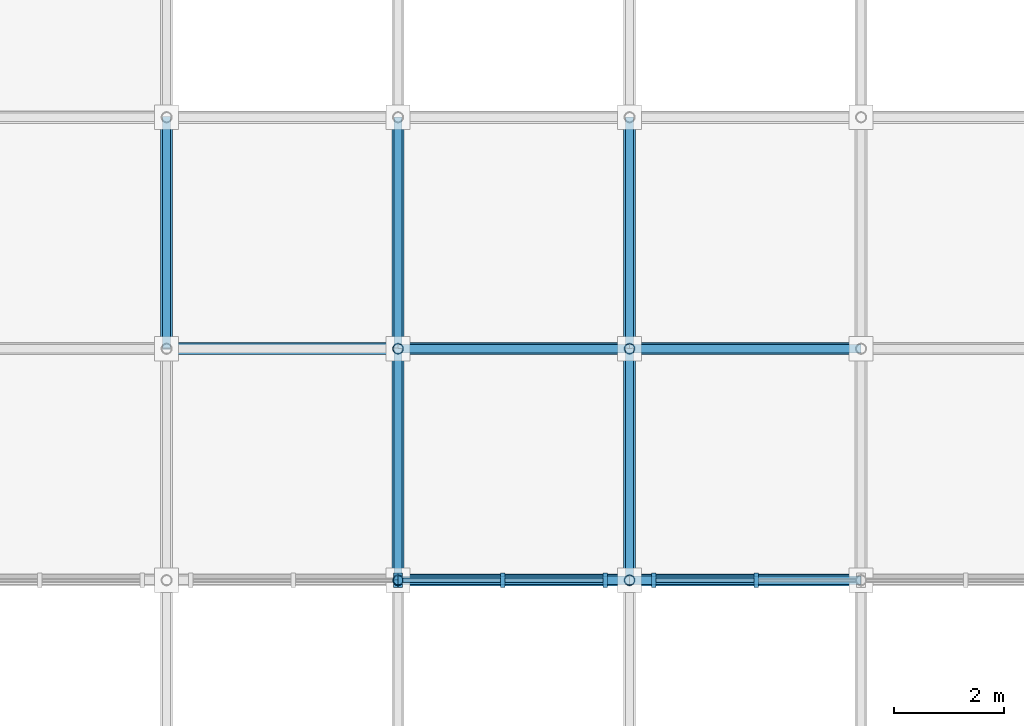
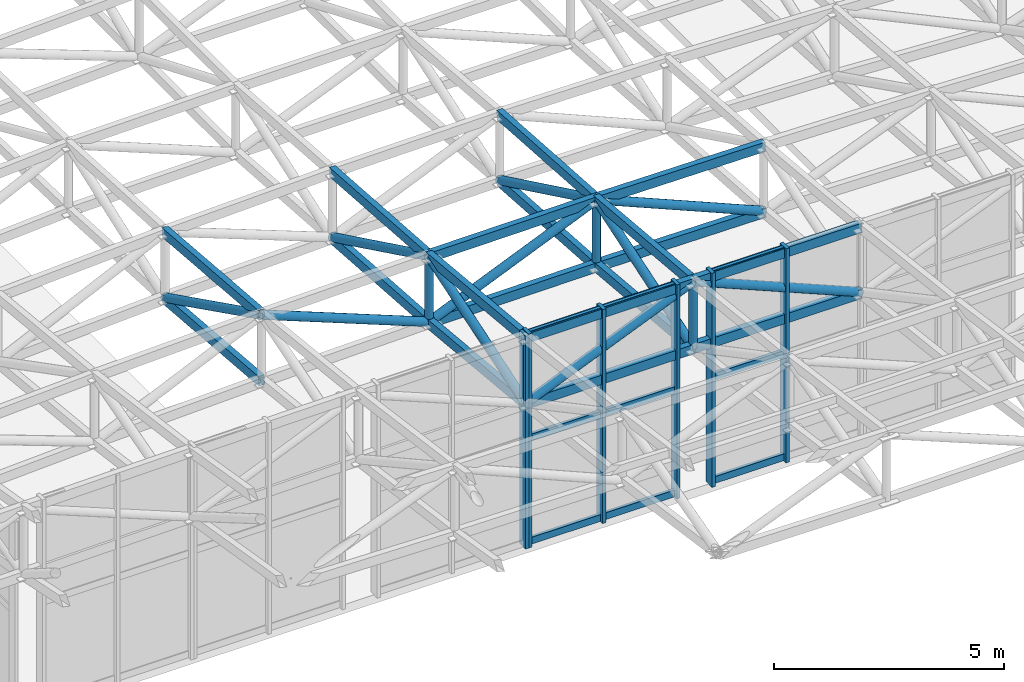
# One storey, part 16 of 132: 47 members, 3 elements without a shape of their own.
"""IFC4 building model written with IfcOpenShell, lengths in metres."""

import ifcopenshell
import ifcopenshell.guid

model = None  # the IFC model being written
_history = None  # IfcOwnerHistory: only IFC2X3 demands one
_inside = {}  # id of a spatial element -> (the spatial element, [elements in it])
_under = {}  # id of a project, library or spatial element -> (it, [spatial elements below it])
_declared = {}  # id of a project -> (the project, [libraries it declares])
_typed = {}  # id of a type object -> (the type object, [elements of that type])
_made_of = {}  # id of a material, layer set ... -> (it, [elements and type objects made of it])


def new_model(schema):
    """Start an empty IFC model of exactly this schema.

    Asked for "IFC4X3", IfcOpenShell would pick the latest addendum, in which some entities
    have other attributes; the version numbers below select the first issue.
    IFC2X3 requires an IfcOwnerHistory on every rooted entity: one is made here for all.
    """
    global model, _history
    if schema == "IFC4X3":
        model = ifcopenshell.file(schema_version=(4, 3, 0, 0))
    else:
        model = ifcopenshell.file(schema=schema)
    _inside.clear()
    _under.clear()
    _declared.clear()
    _typed.clear()
    _made_of.clear()
    _history = None
    if model.schema == "IFC2X3":
        org = make("IfcOrganization", Name="unknown")
        user = make(
            "IfcPersonAndOrganization",
            ThePerson=make("IfcPerson", FamilyName="unknown"),
            TheOrganization=org,
        )
        app = make(
            "IfcApplication",
            ApplicationDeveloper=org,
            Version="unknown",
            ApplicationFullName="unknown",
            ApplicationIdentifier="unknown",
        )
        _history = make(
            "IfcOwnerHistory",
            OwningUser=user,
            OwningApplication=app,
            ChangeAction="ADDED",
            CreationDate=0,
        )
    return model


def make(cls, **values):
    """One entity of the class cls with the attributes given. An attribute that is None is left unset."""
    return model.create_entity(
        cls, **{name: value for name, value in values.items() if value is not None}
    )


def rooted(cls, **values):
    """An entity with a GlobalId (a new one), such as an element, a storey or a relation."""
    return make(cls, GlobalId=ifcopenshell.guid.new(), OwnerHistory=_history, **values)


def si_unit(unit_type, name, prefix=None):
    """IfcSIUnit, for example si_unit("LENGTHUNIT", "METRE", prefix="MILLI")."""
    return make("IfcSIUnit", UnitType=unit_type, Prefix=prefix, Name=name)


def assignment(units):
    """IfcUnitAssignment: the units of a project."""
    return None if units is None else make("IfcUnitAssignment", Units=units)


def point(xyz):
    """IfcCartesianPoint."""
    return None if xyz is None else make("IfcCartesianPoint", Coordinates=xyz)


def direction(xyz):
    """IfcDirection."""
    return None if xyz is None else make("IfcDirection", DirectionRatios=xyz)


def frame(location, z_axis=None, x_axis=None):
    """IfcAxis2Placement3D, a coordinate frame: its origin and axes. An axis left out is left unset."""
    return make(
        "IfcAxis2Placement3D",
        Location=point(location),
        Axis=direction(z_axis),
        RefDirection=direction(x_axis),
    )


def frame_2d(location, x_axis=None):
    """IfcAxis2Placement2D, a coordinate frame in the plane: its origin and x axis."""
    return make(
        "IfcAxis2Placement2D", Location=point(location), RefDirection=direction(x_axis)
    )


def origin():
    """The frame at (0, 0, 0) with its axes left unset."""
    return frame((0.0, 0.0, 0.0))


def origin_2d():
    """The frame at (0, 0) in the plane with its x axis left unset."""
    return frame_2d((0.0, 0.0))


def place(relative_to, where):
    """IfcLocalPlacement: puts the frame where relative to a parent placement (None: the world)."""
    return make(
        "IfcLocalPlacement", PlacementRelTo=relative_to, RelativePlacement=where
    )


def context(
    kind, dimensions, precision=None, world=None, true_north=None, identifier=None
):
    """IfcGeometricRepresentationContext, for example the 3D "Model" context."""
    return make(
        "IfcGeometricRepresentationContext",
        ContextIdentifier=identifier,
        ContextType=kind,
        CoordinateSpaceDimension=dimensions,
        Precision=precision,
        WorldCoordinateSystem=world,
        TrueNorth=true_north,
    )


def subcontext(parent, identifier, kind, view, scale=None):
    """IfcGeometricRepresentationSubContext, for example "Body" below "Model"."""
    return make(
        "IfcGeometricRepresentationSubContext",
        ContextIdentifier=identifier,
        ContextType=kind,
        ParentContext=parent,
        TargetScale=scale,
        TargetView=view,
    )


def project(units=None, contexts=None):
    """IfcProject with its units and contexts."""
    return rooted(
        "IfcProject",
        Name="project",
        RepresentationContexts=contexts,
        UnitsInContext=assignment(units),
    )


def spatial(cls, under=None, at=None, **own):
    """A site, building, storey or space (cls), placed at a placement, below another one or the project."""
    s = rooted(cls, ObjectPlacement=at, **own)
    if under is not None:
        _under.setdefault(under.id(), (under, []))[1].append(s)
    return s


def profile(cls, at=None, kind="AREA", **sizes):
    """A parametric profile (cls). Its sizes go by their IFC names, for example OverallWidth=200.0."""
    return make(cls, ProfileType=kind, Position=at, **sizes)


def rectangle(**sizes):
    """IfcRectangleProfileDef."""
    return profile("IfcRectangleProfileDef", **sizes)


def hollow_rectangle(**sizes):
    """IfcRectangleHollowProfileDef."""
    return profile("IfcRectangleHollowProfileDef", **sizes)


def hollow_circle(**sizes):
    """IfcCircleHollowProfileDef."""
    return profile("IfcCircleHollowProfileDef", **sizes)


def extrude(swept, where, along, depth):
    """IfcExtrudedAreaSolid: the profile swept, set in the frame where, extruded along a direction by depth."""
    return make(
        "IfcExtrudedAreaSolid",
        SweptArea=swept,
        Position=where,
        ExtrudedDirection=direction(along),
        Depth=depth,
    )


def shape(context_of_items, identifier, shape_type, items):
    """IfcShapeRepresentation: the items that make up one representation, for example the "Body"."""
    return make(
        "IfcShapeRepresentation",
        ContextOfItems=context_of_items,
        RepresentationIdentifier=identifier,
        RepresentationType=shape_type,
        Items=items,
    )


def material(Name=None, Category=None):
    """IfcMaterial."""
    return make("IfcMaterial", Name=Name, Category=Category)


def material_profile(
    of_material, cross_section, Name=None, Category=None, Priority=None
):
    """IfcMaterialProfile: a cross section and its material."""
    return make(
        "IfcMaterialProfile",
        Name=Name,
        Material=of_material,
        Profile=cross_section,
        Priority=Priority,
        Category=Category,
    )


def profile_set(profiles, Name=None, composite=None):
    """IfcMaterialProfileSet."""
    return make(
        "IfcMaterialProfileSet",
        Name=Name,
        MaterialProfiles=profiles,
        CompositeProfile=composite,
    )


def made_of(thing, what):
    """Note that an element or type object is made of a material, layer set ...; save() writes the relation."""
    if what is not None:
        _made_of.setdefault(what.id(), (what, []))[1].append(thing)
    return thing


def type_object(cls, material=None, **own):
    """A type object (cls), such as IfcWallType, which elements share."""
    return made_of(rooted(cls, **own), material)


def element(
    cls,
    number,
    at=None,
    inside=None,
    cuts=None,
    type_object=None,
    material=None,
    context=None,
    identifier="Body",
    shape_type=None,
    held_by="IfcProductDefinitionShape",
    body=None,
    shapes=None,
    **own,
):
    """One element of the class cls, such as IfcWall. Its Tag is "e" and its number.

    at: its placement. inside: the storey or other place that contains it. cuts: it is an
    opening in that element (IfcRelVoidsElement). A single representation is given by context,
    identifier, shape_type and body (its items); several are given by shapes. held_by: the class
    of the entity that holds the representations. save() writes the other relations.
    """
    e = rooted(cls, Tag="e%d" % number, ObjectPlacement=at, **own)
    if body is not None:
        shapes = [shape(context, identifier, shape_type, body)]
    if shapes is not None:
        e.Representation = make(held_by, Representations=shapes)
    if inside is not None:
        _inside.setdefault(inside.id(), (inside, []))[1].append(e)
    if cuts is not None:
        rooted(
            "IfcRelVoidsElement", RelatingBuildingElement=cuts, RelatedOpeningElement=e
        )
    if type_object is not None:
        _typed.setdefault(type_object.id(), (type_object, []))[1].append(e)
    return made_of(e, material)


def aggregate(whole, parts):
    """IfcRelAggregates: a whole, such as a stair, and the parts it consists of."""
    return rooted("IfcRelAggregates", RelatingObject=whole, RelatedObjects=parts)


def save(model, path):
    """Write the relations noted so far, then the file.

    IfcRelAggregates (storeys below a building ...), IfcRelContainedInSpatialStructure (elements
    in a storey), IfcRelDefinesByType, IfcRelAssociatesMaterial and IfcRelDeclares: one each for
    every whole, place, type object, material and project.
    """
    for whole, parts in _under.values():
        aggregate(whole, parts)
    for where, things in _inside.values():
        rooted(
            "IfcRelContainedInSpatialStructure",
            RelatedElements=things,
            RelatingStructure=where,
        )
    for kind, things in _typed.values():
        rooted("IfcRelDefinesByType", RelatedObjects=things, RelatingType=kind)
    for what, things in _made_of.values():
        rooted("IfcRelAssociatesMaterial", RelatedObjects=things, RelatingMaterial=what)
    for by, libraries in _declared.values():
        rooted("IfcRelDeclares", RelatingContext=by, RelatedDefinitions=libraries)
    model.write(path)


model = new_model("IFC4")

# Units and contexts
model_context = context("Model", 3, precision=1e-05, world=origin(), true_north=direction((0.0, 1.0)))
body_context = subcontext(model_context, "Body", "Model", "MODEL_VIEW")
ifc_project = project(units=[si_unit("LENGTHUNIT", "METRE"), si_unit("AREAUNIT", "SQUARE_METRE"), si_unit("VOLUMEUNIT", "CUBIC_METRE"), si_unit("PLANEANGLEUNIT", "RADIAN"), si_unit("MASSUNIT", "GRAM", prefix="KILO")], contexts=[model_context])

# Site, building, storey
site_placement = place(None, origin())
site = spatial("IfcSite", under=ifc_project, at=site_placement, CompositionType="ELEMENT")
building_placement = place(site_placement, origin())
building = spatial("IfcBuilding", under=site, at=building_placement, Name="Cumbredor Promenade Congress Hotel", CompositionType="ELEMENT")
storey_placement = place(building_placement, frame((0.0, 0.0, 7.56005859375)))
storey = spatial("IfcBuildingStorey", under=building, at=storey_placement, Name="L02", CompositionType="ELEMENT", Elevation=7.56005859375)

# Curtain wall, member
ifc_material_1 = material(Name="Thermally broken anodized aluminium and low-E glass", Category="aluminium")
curtain_wall_type = type_object("IfcCurtainWallType", Name="Stepped Pavilion Clerestory Curtain Wall CW-06", PredefinedType="NOTDEFINED", material=ifc_material_1)
curtain_wall_1_placement = place(storey_placement, origin())
curtain_wall_1 = element("IfcCurtainWall", 1, at=curtain_wall_1_placement, inside=storey, type_object=curtain_wall_type, Name="Thermal Spa and Hydrotherapy Pavilion S Glazed Clerestory 3", PredefinedType="NOTDEFINED")
ifc_material_2 = material(Name="Thermally broken anodized aluminium", Category="aluminium")
ifc_material_profile_1 = material_profile(ifc_material_2, rectangle(XDim=0.0849609375, YDim=0.260009765625, at=origin_2d()), Name="ALU MULLION CLERESTORY 85x260")
ifc_profile_set_1 = profile_set([ifc_material_profile_1], Name="Thermally broken anodized aluminium")
member_type_1 = type_object("IfcMemberType", Name="Curtain Wall Mullion ML-04", PredefinedType="MULLION", material=ifc_profile_set_1)
member_1_placement = place(storey_placement, frame((88.159912109375, 8.39990234375, -0.01806640625), z_axis=(0.0, 0.0, 1.0), x_axis=(1.0, 0.0, 0.0)))
member_1 = element("IfcMember", 2, at=member_1_placement, type_object=member_type_1, Name="Thermal Spa and Hydrotherapy Pavilion S Glazed Clerestory 3 Mullion 3", PredefinedType="MULLION", context=body_context, shape_type="SweptSolid", body=[
    extrude(rectangle(XDim=0.0849609375, YDim=0.260009765625, at=origin_2d()), origin(), (0.0, 0.0, 1.0), 5.6533203125),
])
aggregate(curtain_wall_1, [member_1])

# Curtain wall, members
curtain_wall_2_placement = place(storey_placement, origin())
curtain_wall_2 = element("IfcCurtainWall", 3, at=curtain_wall_2_placement, inside=storey, type_object=curtain_wall_type, Name="Thermal Spa and Hydrotherapy Pavilion S Glazed Clerestory 4", PredefinedType="NOTDEFINED")
member_2_placement = place(storey_placement, frame((88.239990234375, 8.39990234375, -0.01806640625), z_axis=(0.0, 0.0, 1.0), x_axis=(1.0, 0.0, 0.0)))
member_2 = element("IfcMember", 4, at=member_2_placement, type_object=member_type_1, Name="Thermal Spa and Hydrotherapy Pavilion S Glazed Clerestory 4 Mullion 1", PredefinedType="MULLION", context=body_context, shape_type="SweptSolid", body=[
    extrude(rectangle(XDim=0.0849609375, YDim=0.260009765625, at=origin_2d()), origin(), (0.0, 0.0, 1.0), 5.678955078125),
])
member_3_placement = place(storey_placement, frame((90.10009765625, 8.39990234375, -0.01806640625), z_axis=(0.0, 0.0, 1.0), x_axis=(1.0, 0.0, 0.0)))
member_3 = element("IfcMember", 5, at=member_3_placement, type_object=member_type_1, Name="Thermal Spa and Hydrotherapy Pavilion S Glazed Clerestory 4 Mullion 2", PredefinedType="MULLION", context=body_context, shape_type="SweptSolid", body=[
    extrude(rectangle(XDim=0.0849609375, YDim=0.260009765625, at=origin_2d()), origin(), (0.0, 0.0, 1.0), 5.678955078125),
])
member_4_placement = place(storey_placement, frame((91.9599609375, 8.39990234375, -0.01806640625), z_axis=(0.0, 0.0, 1.0), x_axis=(1.0, 0.0, 0.0)))
member_4 = element("IfcMember", 6, at=member_4_placement, type_object=member_type_1, Name="Thermal Spa and Hydrotherapy Pavilion S Glazed Clerestory 4 Mullion 3", PredefinedType="MULLION", context=body_context, shape_type="SweptSolid", body=[
    extrude(rectangle(XDim=0.0849609375, YDim=0.260009765625, at=origin_2d()), origin(), (0.0, 0.0, 1.0), 5.678955078125),
])

curtain_wall_3_placement = place(storey_placement, origin())
curtain_wall_3 = element("IfcCurtainWall", 7, at=curtain_wall_3_placement, inside=storey, type_object=curtain_wall_type, Name="Thermal Spa and Hydrotherapy Pavilion S Glazed Clerestory 5", PredefinedType="NOTDEFINED")
member_5_placement = place(storey_placement, frame((92.840087890625, 8.39990234375, -0.01806640625), z_axis=(0.0, 0.0, 1.0), x_axis=(1.0, 0.0, 0.0)))
member_5 = element("IfcMember", 8, at=member_5_placement, type_object=member_type_1, Name="Thermal Spa and Hydrotherapy Pavilion S Glazed Clerestory 5 Mullion 1", PredefinedType="MULLION", context=body_context, shape_type="SweptSolid", body=[
    extrude(rectangle(XDim=0.0849609375, YDim=0.260009765625, at=origin_2d()), origin(), (0.0, 0.0, 1.0), 5.678955078125),
])
member_6_placement = place(storey_placement, frame((94.699951171875, 8.39990234375, -0.01806640625), z_axis=(0.0, 0.0, 1.0), x_axis=(1.0, 0.0, 0.0)))
member_6 = element("IfcMember", 9, at=member_6_placement, type_object=member_type_1, Name="Thermal Spa and Hydrotherapy Pavilion S Glazed Clerestory 5 Mullion 2", PredefinedType="MULLION", context=body_context, shape_type="SweptSolid", body=[
    extrude(rectangle(XDim=0.0849609375, YDim=0.260009765625, at=origin_2d()), origin(), (0.0, 0.0, 1.0), 5.678955078125),
])

# Member
ifc_material_profile_2 = material_profile(ifc_material_2, rectangle(XDim=0.080078125, YDim=0.179931640625, at=origin_2d()), Name="ALU TRANSOM 80x180")
ifc_profile_set_2 = profile_set([ifc_material_profile_2], Name="Thermally broken anodized aluminium")
member_type_2 = type_object("IfcMemberType", Name="Curtain Wall Transom TR-03", PredefinedType="USERDEFINED", material=ifc_profile_set_2)
member_7_placement = place(storey_placement, frame((88.282470703125, 8.39990234375, 0.079833984375), z_axis=(1.0, 0.0, 0.0), x_axis=(0.0, 1.0, 0.0)))
member_7 = element("IfcMember", 10, at=member_7_placement, type_object=member_type_2, Name="Thermal Spa and Hydrotherapy Pavilion S Glazed Clerestory 4 Transom 1.1", ObjectType="TRANSOM", PredefinedType="USERDEFINED", context=body_context, shape_type="SweptSolid", body=[
    extrude(rectangle(XDim=0.080078125, YDim=0.179931640625, at=origin_2d()), origin(), (0.0, 0.0, 1.0), 1.775146484375),
])

member_8_placement = place(storey_placement, frame((88.282470703125, 8.39990234375, 2.81982421875), z_axis=(1.0, 0.0, 0.0), x_axis=(0.0, 1.0, 0.0)))
member_8 = element("IfcMember", 11, at=member_8_placement, type_object=member_type_2, Name="Thermal Spa and Hydrotherapy Pavilion S Glazed Clerestory 4 Transom 1.2", ObjectType="TRANSOM", PredefinedType="USERDEFINED", context=body_context, shape_type="SweptSolid", body=[
    extrude(rectangle(XDim=0.080078125, YDim=0.179931640625, at=origin_2d()), origin(), (0.0, 0.0, 1.0), 1.775146484375),
])

member_9_placement = place(storey_placement, frame((88.282470703125, 8.39990234375, 5.56005859375), z_axis=(1.0, 0.0, 0.0), x_axis=(0.0, 1.0, 0.0)))
member_9 = element("IfcMember", 12, at=member_9_placement, type_object=member_type_2, Name="Thermal Spa and Hydrotherapy Pavilion S Glazed Clerestory 4 Transom 1.3", ObjectType="TRANSOM", PredefinedType="USERDEFINED", context=body_context, shape_type="SweptSolid", body=[
    extrude(rectangle(XDim=0.080078125, YDim=0.179931640625, at=origin_2d()), origin(), (0.0, 0.0, 1.0), 1.775146484375),
])

member_10_placement = place(storey_placement, frame((90.142578125, 8.39990234375, 0.079833984375), z_axis=(1.0, 0.0, 0.0), x_axis=(0.0, 1.0, 0.0)))
member_10 = element("IfcMember", 13, at=member_10_placement, type_object=member_type_2, Name="Thermal Spa and Hydrotherapy Pavilion S Glazed Clerestory 4 Transom 2.1", ObjectType="TRANSOM", PredefinedType="USERDEFINED", context=body_context, shape_type="SweptSolid", body=[
    extrude(rectangle(XDim=0.080078125, YDim=0.179931640625, at=origin_2d()), origin(), (0.0, 0.0, 1.0), 1.77490234375),
])

member_11_placement = place(storey_placement, frame((90.142578125, 8.39990234375, 2.81982421875), z_axis=(1.0, 0.0, 0.0), x_axis=(0.0, 1.0, 0.0)))
member_11 = element("IfcMember", 14, at=member_11_placement, type_object=member_type_2, Name="Thermal Spa and Hydrotherapy Pavilion S Glazed Clerestory 4 Transom 2.2", ObjectType="TRANSOM", PredefinedType="USERDEFINED", context=body_context, shape_type="SweptSolid", body=[
    extrude(rectangle(XDim=0.080078125, YDim=0.179931640625, at=origin_2d()), origin(), (0.0, 0.0, 1.0), 1.77490234375),
])

member_12_placement = place(storey_placement, frame((90.142578125, 8.39990234375, 5.56005859375), z_axis=(1.0, 0.0, 0.0), x_axis=(0.0, 1.0, 0.0)))
member_12 = element("IfcMember", 15, at=member_12_placement, type_object=member_type_2, Name="Thermal Spa and Hydrotherapy Pavilion S Glazed Clerestory 4 Transom 2.3", ObjectType="TRANSOM", PredefinedType="USERDEFINED", context=body_context, shape_type="SweptSolid", body=[
    extrude(rectangle(XDim=0.080078125, YDim=0.179931640625, at=origin_2d()), origin(), (0.0, 0.0, 1.0), 1.77490234375),
])

aggregate(curtain_wall_2, [member_2, member_3, member_4, member_7, member_8, member_9, member_10, member_11, member_12])

member_13_placement = place(storey_placement, frame((92.882568359375, 8.39990234375, 0.079833984375), z_axis=(1.0, 0.0, 0.0), x_axis=(0.0, 1.0, 0.0)))
member_13 = element("IfcMember", 16, at=member_13_placement, type_object=member_type_2, Name="Thermal Spa and Hydrotherapy Pavilion S Glazed Clerestory 5 Transom 1.1", ObjectType="TRANSOM", PredefinedType="USERDEFINED", context=body_context, shape_type="SweptSolid", body=[
    extrude(rectangle(XDim=0.080078125, YDim=0.179931640625, at=origin_2d()), origin(), (0.0, 0.0, 1.0), 1.77490234375),
])

member_14_placement = place(storey_placement, frame((92.882568359375, 8.39990234375, 2.81982421875), z_axis=(1.0, 0.0, 0.0), x_axis=(0.0, 1.0, 0.0)))
member_14 = element("IfcMember", 17, at=member_14_placement, type_object=member_type_2, Name="Thermal Spa and Hydrotherapy Pavilion S Glazed Clerestory 5 Transom 1.2", ObjectType="TRANSOM", PredefinedType="USERDEFINED", context=body_context, shape_type="SweptSolid", body=[
    extrude(rectangle(XDim=0.080078125, YDim=0.179931640625, at=origin_2d()), origin(), (0.0, 0.0, 1.0), 1.77490234375),
])

member_15_placement = place(storey_placement, frame((92.882568359375, 8.39990234375, 5.56005859375), z_axis=(1.0, 0.0, 0.0), x_axis=(0.0, 1.0, 0.0)))
member_15 = element("IfcMember", 18, at=member_15_placement, type_object=member_type_2, Name="Thermal Spa and Hydrotherapy Pavilion S Glazed Clerestory 5 Transom 1.3", ObjectType="TRANSOM", PredefinedType="USERDEFINED", context=body_context, shape_type="SweptSolid", body=[
    extrude(rectangle(XDim=0.080078125, YDim=0.179931640625, at=origin_2d()), origin(), (0.0, 0.0, 1.0), 1.77490234375),
])

aggregate(curtain_wall_3, [member_5, member_6, member_13, member_14, member_15])

# Members
ifc_material_3 = material(Name="Steel ASTM A500 Grade C", Category="steel")
ifc_material_profile_3 = material_profile(ifc_material_3, hollow_rectangle(XDim=0.14990234375, YDim=0.25, WallThickness=0.012451171875, at=origin_2d()), Name="HSS 250x150x12.5")
ifc_profile_set_3 = profile_set([ifc_material_profile_3], Name="Steel ASTM A500 Grade C")
member_type_3 = type_object("IfcMemberType", Name="Spa Roof Space Frame Chord", PredefinedType="CHORD", material=ifc_profile_set_3)
for number, where, z_axis, x_axis, name in (
    (19, (88.199951171875, 8.39990234375, 5.510009765625), (0.999997810398, 0.0, 0.002092653675), (0.0, 1.0, 0.0), "Thermal Spa and Hydrotherapy Pavilion X Top Chord 5.3"),
    (20, (88.199951171875, 8.39990234375, 3.760009765625), (0.999997810398, 0.0, 0.002092653675), (0.0, 1.0, 0.0), "Thermal Spa and Hydrotherapy Pavilion X Bottom Chord 5.3"),
):
    element("IfcMember", number, at=place(storey_placement, frame(where, z_axis=z_axis, x_axis=x_axis)), inside=storey, type_object=member_type_3, Name=name, PredefinedType="CHORD", context=body_context, shape_type="SweptSolid", body=[
        extrude(hollow_rectangle(XDim=0.14990234375, YDim=0.25, WallThickness=0.012451171875, at=origin_2d()), origin(), (0.0, 0.0, 1.0), 4.199951171875),
    ])
for number, where, z_axis, x_axis, name in (
    (21, (92.39990234375, 8.39990234375, 5.518798828125), (0.999997810652, 0.0, -0.002092532038), (0.0, 1.0, 0.0), "Thermal Spa and Hydrotherapy Pavilion X Top Chord 6.3"),
    (22, (92.39990234375, 8.39990234375, 3.768798828125), (0.999997810652, 0.0, -0.002092532038), (0.0, 1.0, 0.0), "Thermal Spa and Hydrotherapy Pavilion X Bottom Chord 6.3"),
):
    element("IfcMember", number, at=place(storey_placement, frame(where, z_axis=z_axis, x_axis=x_axis)), inside=storey, type_object=member_type_3, Name=name, PredefinedType="CHORD", context=body_context, shape_type="SweptSolid", body=[
        extrude(hollow_rectangle(XDim=0.14990234375, YDim=0.25, WallThickness=0.012451171875, at=origin_2d()), origin(), (0.0, 0.0, 1.0), 4.2001953125),
    ])
for number, where, z_axis, x_axis, name in (
    (23, (88.199951171875, 12.60009765625, 5.111572265625), (0.99997607566, 0.0, 0.006917232634), (0.0, 1.0, 0.0), "Thermal Spa and Hydrotherapy Pavilion X Top Chord 5.4"),
    (24, (88.199951171875, 12.60009765625, 3.361572265625), (0.99997607566, 0.0, 0.006917232634), (0.0, 1.0, 0.0), "Thermal Spa and Hydrotherapy Pavilion X Bottom Chord 5.4"),
):
    element("IfcMember", number, at=place(storey_placement, frame(where, z_axis=z_axis, x_axis=x_axis)), inside=storey, type_object=member_type_3, Name=name, PredefinedType="CHORD", context=body_context, shape_type="SweptSolid", body=[
        extrude(hollow_rectangle(XDim=0.14990234375, YDim=0.25, WallThickness=0.012451171875, at=origin_2d()), origin(), (0.0, 0.0, 1.0), 4.199951171875),
    ])
for number, where, z_axis, x_axis, name in (
    (25, (92.39990234375, 12.60009765625, 5.140625), (0.999976078441, 0.0, -0.006916830582), (0.0, 1.0, 0.0), "Thermal Spa and Hydrotherapy Pavilion X Top Chord 6.4"),
    (26, (92.39990234375, 12.60009765625, 3.390625), (0.999976078441, 0.0, -0.006916830582), (0.0, 1.0, 0.0), "Thermal Spa and Hydrotherapy Pavilion X Bottom Chord 6.4"),
):
    element("IfcMember", number, at=place(storey_placement, frame(where, z_axis=z_axis, x_axis=x_axis)), inside=storey, type_object=member_type_3, Name=name, PredefinedType="CHORD", context=body_context, shape_type="SweptSolid", body=[
        extrude(hollow_rectangle(XDim=0.14990234375, YDim=0.25, WallThickness=0.012451171875, at=origin_2d()), origin(), (0.0, 0.0, 1.0), 4.2001953125),
    ])
for number, where, z_axis, x_axis, name in (
    (27, (84.0, 12.60009765625, 5.024658203125), (0.0, 0.996653189411, -0.081746070468), (-1.0, 0.0, 0.0), "Thermal Spa and Hydrotherapy Pavilion Y Top Chord 4.4"),
    (28, (84.0, 12.60009765625, 3.274658203125), (0.0, 0.996653189411, -0.081746070468), (-1.0, 0.0, 0.0), "Thermal Spa and Hydrotherapy Pavilion Y Bottom Chord 4.4"),
):
    element("IfcMember", number, at=place(storey_placement, frame(where, z_axis=z_axis, x_axis=x_axis)), inside=storey, type_object=member_type_3, Name=name, PredefinedType="CHORD", context=body_context, shape_type="SweptSolid", body=[
        extrude(hollow_rectangle(XDim=0.14990234375, YDim=0.25, WallThickness=0.012451171875, at=origin_2d()), origin(), (0.0, 0.0, 1.0), 4.214111328125),
    ])
for number, where, z_axis, x_axis, name in (
    (29, (88.199951171875, 8.39990234375, 5.510009765625), (0.0, 0.995530773245, -0.09443770181), (-1.0, 0.0, 0.0), "Thermal Spa and Hydrotherapy Pavilion Y Top Chord 5.3"),
    (30, (88.199951171875, 8.39990234375, 3.760009765625), (0.0, 0.995530773245, -0.09443770181), (-1.0, 0.0, 0.0), "Thermal Spa and Hydrotherapy Pavilion Y Bottom Chord 5.3"),
):
    element("IfcMember", number, at=place(storey_placement, frame(where, z_axis=z_axis, x_axis=x_axis)), inside=storey, type_object=member_type_3, Name=name, PredefinedType="CHORD", context=body_context, shape_type="SweptSolid", body=[
        extrude(hollow_rectangle(XDim=0.14990234375, YDim=0.25, WallThickness=0.012451171875, at=origin_2d()), origin(), (0.0, 0.0, 1.0), 4.218994140625),
    ])
for number, where, z_axis, x_axis, name in (
    (31, (88.199951171875, 12.60009765625, 5.111572265625), (0.0, 0.997478381667, -0.070970966643), (-1.0, 0.0, 0.0), "Thermal Spa and Hydrotherapy Pavilion Y Top Chord 5.4"),
    (32, (88.199951171875, 12.60009765625, 3.361572265625), (0.0, 0.997478381667, -0.070970966643), (-1.0, 0.0, 0.0), "Thermal Spa and Hydrotherapy Pavilion Y Bottom Chord 5.4"),
):
    element("IfcMember", number, at=place(storey_placement, frame(where, z_axis=z_axis, x_axis=x_axis)), inside=storey, type_object=member_type_3, Name=name, PredefinedType="CHORD", context=body_context, shape_type="SweptSolid", body=[
        extrude(hollow_rectangle(XDim=0.14990234375, YDim=0.25, WallThickness=0.012451171875, at=origin_2d()), origin(), (0.0, 0.0, 1.0), 4.21044921875),
    ])
for number, where, z_axis, x_axis, name in (
    (33, (92.39990234375, 8.39990234375, 5.518798828125), (0.0, 0.995971130388, -0.089674452509), (-1.0, 0.0, 0.0), "Thermal Spa and Hydrotherapy Pavilion Y Top Chord 6.3"),
    (34, (92.39990234375, 8.39990234375, 3.768798828125), (0.0, 0.995971130388, -0.089674452509), (-1.0, 0.0, 0.0), "Thermal Spa and Hydrotherapy Pavilion Y Bottom Chord 6.3"),
):
    element("IfcMember", number, at=place(storey_placement, frame(where, z_axis=z_axis, x_axis=x_axis)), inside=storey, type_object=member_type_3, Name=name, PredefinedType="CHORD", context=body_context, shape_type="SweptSolid", body=[
        extrude(hollow_rectangle(XDim=0.14990234375, YDim=0.25, WallThickness=0.012451171875, at=origin_2d()), origin(), (0.0, 0.0, 1.0), 4.21728515625),
    ])
for number, where, z_axis, x_axis, name in (
    (35, (92.39990234375, 12.60009765625, 5.140625), (0.0, 0.997726521374, -0.067392792992), (-1.0, 0.0, 0.0), "Thermal Spa and Hydrotherapy Pavilion Y Top Chord 6.4"),
    (36, (92.39990234375, 12.60009765625, 3.390625), (0.0, 0.997726521374, -0.067392792992), (-1.0, 0.0, 0.0), "Thermal Spa and Hydrotherapy Pavilion Y Bottom Chord 6.4"),
):
    element("IfcMember", number, at=place(storey_placement, frame(where, z_axis=z_axis, x_axis=x_axis)), inside=storey, type_object=member_type_3, Name=name, PredefinedType="CHORD", context=body_context, shape_type="SweptSolid", body=[
        extrude(hollow_rectangle(XDim=0.14990234375, YDim=0.25, WallThickness=0.012451171875, at=origin_2d()), origin(), (0.0, 0.0, 1.0), 4.20947265625),
    ])
ifc_material_profile_4 = material_profile(ifc_material_3, hollow_circle(Radius=0.109619140625, WallThickness=0.012451171875, at=origin_2d()), Name="CHS 219.1x12.5")
ifc_profile_set_4 = profile_set([ifc_material_profile_4], Name="Steel ASTM A500 Grade C")
member_type_4 = type_object("IfcMemberType", Name="Space Frame Web Diagonal D1", PredefinedType="BRACE", material=ifc_profile_set_4)
member_16_placement = place(storey_placement, frame((88.199951171875, 8.39990234375, 3.760009765625), z_axis=(0.922388570969, 0.0, 0.386263283454), x_axis=(0.0, 1.0, 0.0)))
element("IfcMember", 37, at=member_16_placement, inside=storey, type_object=member_type_4, Name="Thermal Spa and Hydrotherapy Pavilion X Web Diagonal 5.3", PredefinedType="BRACE", context=body_context, shape_type="SweptSolid", body=[
    extrude(hollow_circle(Radius=0.109619140625, WallThickness=0.012451171875, at=origin_2d()), origin(), (0.0, 0.0, 1.0), 4.55322265625),
])
member_17_placement = place(storey_placement, frame((92.39990234375, 8.39990234375, 5.518798828125), z_axis=(0.922396570129, 0.0, -0.386244181075), x_axis=(0.0, 1.0, 0.0)))
element("IfcMember", 38, at=member_17_placement, inside=storey, type_object=member_type_4, Name="Thermal Spa and Hydrotherapy Pavilion X Web Diagonal 6.3", PredefinedType="BRACE", context=body_context, shape_type="SweptSolid", body=[
    extrude(hollow_circle(Radius=0.109619140625, WallThickness=0.012451171875, at=origin_2d()), origin(), (0.0, 0.0, 1.0), 4.553466796875),
])
member_18_placement = place(storey_placement, frame((84.0, 12.60009765625, 5.024658203125), z_axis=(0.929760752579, 0.0, -0.368164288006), x_axis=(0.0, 1.0, 0.0)))
element("IfcMember", 39, at=member_18_placement, inside=storey, type_object=member_type_4, Name="Thermal Spa and Hydrotherapy Pavilion X Web Diagonal 4.4", PredefinedType="BRACE", context=body_context, shape_type="SweptSolid", body=[
    extrude(hollow_circle(Radius=0.109619140625, WallThickness=0.012451171875, at=origin_2d()), origin(), (0.0, 0.0, 1.0), 4.517333984375),
])
member_19_placement = place(storey_placement, frame((88.199951171875, 12.60009765625, 3.361572265625), z_axis=(0.920797991665, 0.0, 0.390039816617), x_axis=(0.0, 1.0, 0.0)))
element("IfcMember", 40, at=member_19_placement, inside=storey, type_object=member_type_4, Name="Thermal Spa and Hydrotherapy Pavilion X Web Diagonal 5.4", PredefinedType="BRACE", context=body_context, shape_type="SweptSolid", body=[
    extrude(hollow_circle(Radius=0.109619140625, WallThickness=0.012451171875, at=origin_2d()), origin(), (0.0, 0.0, 1.0), 4.561279296875),
])
member_20_placement = place(storey_placement, frame((92.39990234375, 12.60009765625, 5.140625), z_axis=(0.920806133943, 0.0, -0.390020593934), x_axis=(0.0, 1.0, 0.0)))
element("IfcMember", 41, at=member_20_placement, inside=storey, type_object=member_type_4, Name="Thermal Spa and Hydrotherapy Pavilion X Web Diagonal 6.4", PredefinedType="BRACE", context=body_context, shape_type="SweptSolid", body=[
    extrude(hollow_circle(Radius=0.109619140625, WallThickness=0.012451171875, at=origin_2d()), origin(), (0.0, 0.0, 1.0), 4.5615234375),
])
member_21_placement = place(storey_placement, frame((84.0, 12.60009765625, 5.024658203125), z_axis=(0.0, 0.894894878165, -0.44627699586), x_axis=(-1.0, 0.0, 0.0)))
element("IfcMember", 42, at=member_21_placement, inside=storey, type_object=member_type_4, Name="Thermal Spa and Hydrotherapy Pavilion Y Web Diagonal 4.4", PredefinedType="BRACE", context=body_context, shape_type="SweptSolid", body=[
    extrude(hollow_circle(Radius=0.109619140625, WallThickness=0.012451171875, at=origin_2d()), origin(), (0.0, 0.0, 1.0), 4.693115234375),
])
member_22_placement = place(storey_placement, frame((88.199951171875, 8.39990234375, 3.760009765625), z_axis=(0.0, 0.951929489783, 0.306317231774), x_axis=(-1.0, 0.0, 0.0)))
element("IfcMember", 43, at=member_22_placement, inside=storey, type_object=member_type_4, Name="Thermal Spa and Hydrotherapy Pavilion Y Web Diagonal 5.3", PredefinedType="BRACE", context=body_context, shape_type="SweptSolid", body=[
    extrude(hollow_circle(Radius=0.109619140625, WallThickness=0.012451171875, at=origin_2d()), origin(), (0.0, 0.0, 1.0), 4.412353515625),
])
member_23_placement = place(storey_placement, frame((88.199951171875, 12.60009765625, 5.111572265625), z_axis=(0.0, 0.898762420242, -0.438435983879), x_axis=(-1.0, 0.0, 0.0)))
element("IfcMember", 44, at=member_23_placement, inside=storey, type_object=member_type_4, Name="Thermal Spa and Hydrotherapy Pavilion Y Web Diagonal 5.4", PredefinedType="BRACE", context=body_context, shape_type="SweptSolid", body=[
    extrude(hollow_circle(Radius=0.109619140625, WallThickness=0.012451171875, at=origin_2d()), origin(), (0.0, 0.0, 1.0), 4.673095703125),
])
member_24_placement = place(storey_placement, frame((92.39990234375, 8.39990234375, 3.768798828125), z_axis=(0.0, 0.950583161276, 0.3104700525), x_axis=(-1.0, 0.0, 0.0)))
element("IfcMember", 45, at=member_24_placement, inside=storey, type_object=member_type_4, Name="Thermal Spa and Hydrotherapy Pavilion Y Web Diagonal 6.3", PredefinedType="BRACE", context=body_context, shape_type="SweptSolid", body=[
    extrude(hollow_circle(Radius=0.109619140625, WallThickness=0.012451171875, at=origin_2d()), origin(), (0.0, 0.0, 1.0), 4.41845703125),
])
member_25_placement = place(storey_placement, frame((92.39990234375, 12.60009765625, 5.140625), z_axis=(0.0, 0.900036800937, -0.43581390175), x_axis=(-1.0, 0.0, 0.0)))
element("IfcMember", 46, at=member_25_placement, inside=storey, type_object=member_type_4, Name="Thermal Spa and Hydrotherapy Pavilion Y Web Diagonal 6.4", PredefinedType="BRACE", context=body_context, shape_type="SweptSolid", body=[
    extrude(hollow_circle(Radius=0.109619140625, WallThickness=0.012451171875, at=origin_2d()), origin(), (0.0, 0.0, 1.0), 4.66650390625),
])
ifc_material_profile_5 = material_profile(ifc_material_3, hollow_circle(Radius=0.096923828125, WallThickness=0.010009765625, at=origin_2d()), Name="CHS 193.7x10")
ifc_profile_set_5 = profile_set([ifc_material_profile_5], Name="Steel ASTM A500 Grade C")
member_type_5 = type_object("IfcMemberType", Name="Space Frame Web Post P1", PredefinedType="BRACE", material=ifc_profile_set_5)
for number, where, z_axis, x_axis, name in (
    (47, (88.199951171875, 8.39990234375, 3.760009765625), (0.0, 0.0, 1.0), (1.0, 0.0, 0.0), "Thermal Spa and Hydrotherapy Pavilion Space Frame Web Post 5.3"),
    (48, (88.199951171875, 12.60009765625, 3.361572265625), (0.0, 0.0, 1.0), (1.0, 0.0, 0.0), "Thermal Spa and Hydrotherapy Pavilion Space Frame Web Post 5.4"),
    (49, (92.39990234375, 8.39990234375, 3.768798828125), (0.0, 0.0, 1.0), (1.0, 0.0, 0.0), "Thermal Spa and Hydrotherapy Pavilion Space Frame Web Post 6.3"),
    (50, (92.39990234375, 12.60009765625, 3.390625), (0.0, 0.0, 1.0), (1.0, 0.0, 0.0), "Thermal Spa and Hydrotherapy Pavilion Space Frame Web Post 6.4"),
):
    element("IfcMember", number, at=place(storey_placement, frame(where, z_axis=z_axis, x_axis=x_axis)), inside=storey, type_object=member_type_5, Name=name, PredefinedType="BRACE", context=body_context, shape_type="SweptSolid", body=[
        extrude(hollow_circle(Radius=0.096923828125, WallThickness=0.010009765625, at=origin_2d()), origin(), (0.0, 0.0, 1.0), 1.75),
    ])

save(model, "model.ifc")
